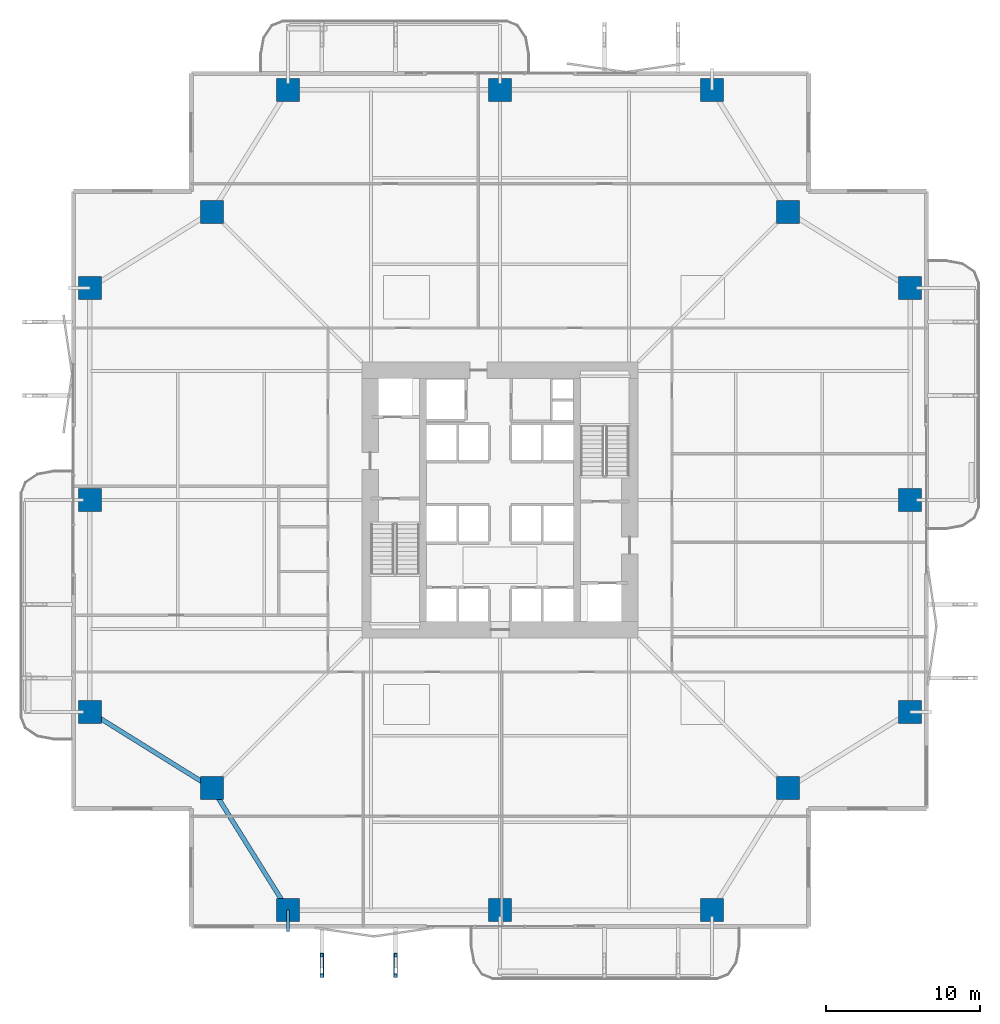
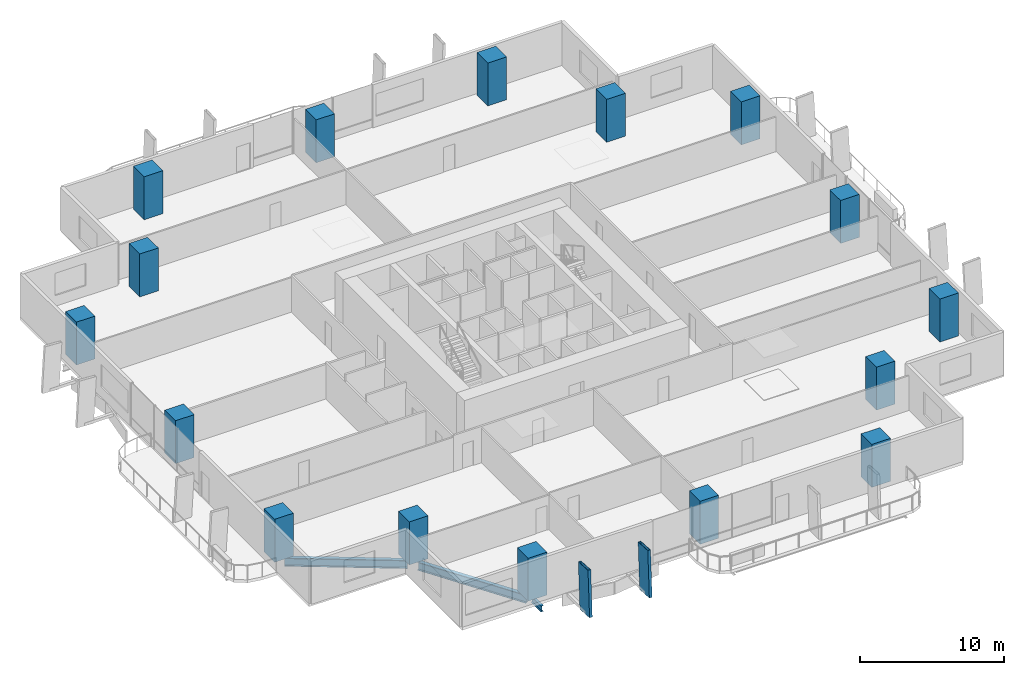
# One storey, part 1 of 24: 16 columns, 3 beams, 2 members.
"""IFC4 building model written with IfcOpenShell, lengths in metres."""

import ifcopenshell
import ifcopenshell.guid

model = None  # the IFC model being written
_history = None  # IfcOwnerHistory: only IFC2X3 demands one
_inside = {}  # id of a spatial element -> (the spatial element, [elements in it])
_under = {}  # id of a project, library or spatial element -> (it, [spatial elements below it])
_declared = {}  # id of a project -> (the project, [libraries it declares])
_typed = {}  # id of a type object -> (the type object, [elements of that type])
_made_of = {}  # id of a material, layer set ... -> (it, [elements and type objects made of it])


def new_model(schema):
    """Start an empty IFC model of exactly this schema.

    Asked for "IFC4X3", IfcOpenShell would pick the latest addendum, in which some entities
    have other attributes; the version numbers below select the first issue.
    IFC2X3 requires an IfcOwnerHistory on every rooted entity: one is made here for all.
    """
    global model, _history
    if schema == "IFC4X3":
        model = ifcopenshell.file(schema_version=(4, 3, 0, 0))
    else:
        model = ifcopenshell.file(schema=schema)
    _inside.clear()
    _under.clear()
    _declared.clear()
    _typed.clear()
    _made_of.clear()
    _history = None
    if model.schema == "IFC2X3":
        org = make("IfcOrganization", Name="unknown")
        user = make(
            "IfcPersonAndOrganization",
            ThePerson=make("IfcPerson", FamilyName="unknown"),
            TheOrganization=org,
        )
        app = make(
            "IfcApplication",
            ApplicationDeveloper=org,
            Version="unknown",
            ApplicationFullName="unknown",
            ApplicationIdentifier="unknown",
        )
        _history = make(
            "IfcOwnerHistory",
            OwningUser=user,
            OwningApplication=app,
            ChangeAction="ADDED",
            CreationDate=0,
        )
    return model


def make(cls, **values):
    """One entity of the class cls with the attributes given. An attribute that is None is left unset."""
    return model.create_entity(
        cls, **{name: value for name, value in values.items() if value is not None}
    )


def rooted(cls, **values):
    """An entity with a GlobalId (a new one), such as an element, a storey or a relation."""
    return make(cls, GlobalId=ifcopenshell.guid.new(), OwnerHistory=_history, **values)


def si_unit(unit_type, name, prefix=None):
    """IfcSIUnit, for example si_unit("LENGTHUNIT", "METRE", prefix="MILLI")."""
    return make("IfcSIUnit", UnitType=unit_type, Prefix=prefix, Name=name)


def assignment(units):
    """IfcUnitAssignment: the units of a project."""
    return None if units is None else make("IfcUnitAssignment", Units=units)


def point(xyz):
    """IfcCartesianPoint."""
    return None if xyz is None else make("IfcCartesianPoint", Coordinates=xyz)


def direction(xyz):
    """IfcDirection."""
    return None if xyz is None else make("IfcDirection", DirectionRatios=xyz)


def frame(location, z_axis=None, x_axis=None):
    """IfcAxis2Placement3D, a coordinate frame: its origin and axes. An axis left out is left unset."""
    return make(
        "IfcAxis2Placement3D",
        Location=point(location),
        Axis=direction(z_axis),
        RefDirection=direction(x_axis),
    )


def frame_2d(location, x_axis=None):
    """IfcAxis2Placement2D, a coordinate frame in the plane: its origin and x axis."""
    return make(
        "IfcAxis2Placement2D", Location=point(location), RefDirection=direction(x_axis)
    )


def origin():
    """The frame at (0, 0, 0) with its axes left unset."""
    return frame((0.0, 0.0, 0.0))


def origin_2d():
    """The frame at (0, 0) in the plane with its x axis left unset."""
    return frame_2d((0.0, 0.0))


def place(relative_to, where):
    """IfcLocalPlacement: puts the frame where relative to a parent placement (None: the world)."""
    return make(
        "IfcLocalPlacement", PlacementRelTo=relative_to, RelativePlacement=where
    )


def context(
    kind, dimensions, precision=None, world=None, true_north=None, identifier=None
):
    """IfcGeometricRepresentationContext, for example the 3D "Model" context."""
    return make(
        "IfcGeometricRepresentationContext",
        ContextIdentifier=identifier,
        ContextType=kind,
        CoordinateSpaceDimension=dimensions,
        Precision=precision,
        WorldCoordinateSystem=world,
        TrueNorth=true_north,
    )


def subcontext(parent, identifier, kind, view, scale=None):
    """IfcGeometricRepresentationSubContext, for example "Body" below "Model"."""
    return make(
        "IfcGeometricRepresentationSubContext",
        ContextIdentifier=identifier,
        ContextType=kind,
        ParentContext=parent,
        TargetScale=scale,
        TargetView=view,
    )


def project(units=None, contexts=None):
    """IfcProject with its units and contexts."""
    return rooted(
        "IfcProject",
        Name="project",
        RepresentationContexts=contexts,
        UnitsInContext=assignment(units),
    )


def spatial(cls, under=None, at=None, **own):
    """A site, building, storey or space (cls), placed at a placement, below another one or the project."""
    s = rooted(cls, ObjectPlacement=at, **own)
    if under is not None:
        _under.setdefault(under.id(), (under, []))[1].append(s)
    return s


def profile(cls, at=None, kind="AREA", **sizes):
    """A parametric profile (cls). Its sizes go by their IFC names, for example OverallWidth=200.0."""
    return make(cls, ProfileType=kind, Position=at, **sizes)


def rectangle(**sizes):
    """IfcRectangleProfileDef."""
    return profile("IfcRectangleProfileDef", **sizes)


def hollow_rectangle(**sizes):
    """IfcRectangleHollowProfileDef."""
    return profile("IfcRectangleHollowProfileDef", **sizes)


def i_section(**sizes):
    """IfcIShapeProfileDef."""
    return profile("IfcIShapeProfileDef", **sizes)


def extrude(swept, where, along, depth):
    """IfcExtrudedAreaSolid: the profile swept, set in the frame where, extruded along a direction by depth."""
    return make(
        "IfcExtrudedAreaSolid",
        SweptArea=swept,
        Position=where,
        ExtrudedDirection=direction(along),
        Depth=depth,
    )


def shape(context_of_items, identifier, shape_type, items):
    """IfcShapeRepresentation: the items that make up one representation, for example the "Body"."""
    return make(
        "IfcShapeRepresentation",
        ContextOfItems=context_of_items,
        RepresentationIdentifier=identifier,
        RepresentationType=shape_type,
        Items=items,
    )


def material(Name=None, Category=None):
    """IfcMaterial."""
    return make("IfcMaterial", Name=Name, Category=Category)


def material_profile(
    of_material, cross_section, Name=None, Category=None, Priority=None
):
    """IfcMaterialProfile: a cross section and its material."""
    return make(
        "IfcMaterialProfile",
        Name=Name,
        Material=of_material,
        Profile=cross_section,
        Priority=Priority,
        Category=Category,
    )


def profile_set(profiles, Name=None, composite=None):
    """IfcMaterialProfileSet."""
    return make(
        "IfcMaterialProfileSet",
        Name=Name,
        MaterialProfiles=profiles,
        CompositeProfile=composite,
    )


def made_of(thing, what):
    """Note that an element or type object is made of a material, layer set ...; save() writes the relation."""
    if what is not None:
        _made_of.setdefault(what.id(), (what, []))[1].append(thing)
    return thing


def type_object(cls, material=None, **own):
    """A type object (cls), such as IfcWallType, which elements share."""
    return made_of(rooted(cls, **own), material)


def element(
    cls,
    number,
    at=None,
    inside=None,
    cuts=None,
    type_object=None,
    material=None,
    context=None,
    identifier="Body",
    shape_type=None,
    held_by="IfcProductDefinitionShape",
    body=None,
    shapes=None,
    **own,
):
    """One element of the class cls, such as IfcWall. Its Tag is "e" and its number.

    at: its placement. inside: the storey or other place that contains it. cuts: it is an
    opening in that element (IfcRelVoidsElement). A single representation is given by context,
    identifier, shape_type and body (its items); several are given by shapes. held_by: the class
    of the entity that holds the representations. save() writes the other relations.
    """
    e = rooted(cls, Tag="e%d" % number, ObjectPlacement=at, **own)
    if body is not None:
        shapes = [shape(context, identifier, shape_type, body)]
    if shapes is not None:
        e.Representation = make(held_by, Representations=shapes)
    if inside is not None:
        _inside.setdefault(inside.id(), (inside, []))[1].append(e)
    if cuts is not None:
        rooted(
            "IfcRelVoidsElement", RelatingBuildingElement=cuts, RelatedOpeningElement=e
        )
    if type_object is not None:
        _typed.setdefault(type_object.id(), (type_object, []))[1].append(e)
    return made_of(e, material)


def aggregate(whole, parts):
    """IfcRelAggregates: a whole, such as a stair, and the parts it consists of."""
    return rooted("IfcRelAggregates", RelatingObject=whole, RelatedObjects=parts)


def save(model, path):
    """Write the relations noted so far, then the file.

    IfcRelAggregates (storeys below a building ...), IfcRelContainedInSpatialStructure (elements
    in a storey), IfcRelDefinesByType, IfcRelAssociatesMaterial and IfcRelDeclares: one each for
    every whole, place, type object, material and project.
    """
    for whole, parts in _under.values():
        aggregate(whole, parts)
    for where, things in _inside.values():
        rooted(
            "IfcRelContainedInSpatialStructure",
            RelatedElements=things,
            RelatingStructure=where,
        )
    for kind, things in _typed.values():
        rooted("IfcRelDefinesByType", RelatedObjects=things, RelatingType=kind)
    for what, things in _made_of.values():
        rooted("IfcRelAssociatesMaterial", RelatedObjects=things, RelatingMaterial=what)
    for by, libraries in _declared.values():
        rooted("IfcRelDeclares", RelatingContext=by, RelatedDefinitions=libraries)
    model.write(path)


model = new_model("IFC4")

# Units and contexts
model_context = context("Model", 3, precision=1e-05, world=origin(), true_north=direction((0.0, 1.0)))
body_context = subcontext(model_context, "Body", "Model", "MODEL_VIEW")
ifc_project = project(units=[si_unit("LENGTHUNIT", "METRE"), si_unit("AREAUNIT", "SQUARE_METRE"), si_unit("VOLUMEUNIT", "CUBIC_METRE"), si_unit("PLANEANGLEUNIT", "RADIAN"), si_unit("MASSUNIT", "GRAM", prefix="KILO")], contexts=[model_context])

# Site, building, storey
site_placement = place(None, origin())
site = spatial("IfcSite", under=ifc_project, at=site_placement, CompositionType="ELEMENT")
building_placement = place(site_placement, origin())
building = spatial("IfcBuilding", under=site, at=building_placement, Name="Belovzor Exchange Tower", CompositionType="ELEMENT")
storey_placement = place(building_placement, frame((0.0, 0.0, 49.5)))
storey = spatial("IfcBuildingStorey", under=building, at=storey_placement, Name="L11", CompositionType="ELEMENT", Elevation=49.5)

# Columns
ifc_material_1 = material(Name="Concrete C60/75", Category="concrete")
ifc_material_profile_1 = material_profile(ifc_material_1, rectangle(XDim=1.5, YDim=1.5, at=origin_2d()))
ifc_profile_set_1 = profile_set([ifc_material_profile_1], Name="Concrete C60/75")
column_type = type_object("IfcColumnType", Name="Reinforced Concrete Tower Column 1500x1500", PredefinedType="COLUMN", material=ifc_profile_set_1)
for number, where, z_axis, x_axis, name in (
    (1, (15.0, 2.10009765625, 0.0029296875), (0.0, 0.0, 1.0), (1.0, 0.0, 0.0), "COL-T150 Reinforced Concrete Tower Column 1500x1500"),
    (2, (28.800048828125, 2.10009765625, 0.0029296875), (0.0, 0.0, 1.0), (1.0, 0.0, 0.0), "COL-T150 Reinforced Concrete Tower Column 1500x1500"),
    (3, (42.60009765625, 2.10009765625, 0.0029296875), (0.0, 0.0, 1.0), (1.0, 0.0, 0.0), "COL-T150 Reinforced Concrete Tower Column 1500x1500"),
    (4, (55.5, 15.0, 0.0029296875), (0.0, 0.0, 1.0), (1.0, 0.0, 0.0), "COL-T150 Reinforced Concrete Tower Column 1500x1500"),
    (5, (55.5, 28.800048828125, 0.0029296875), (0.0, 0.0, 1.0), (1.0, 0.0, 0.0), "COL-T150 Reinforced Concrete Tower Column 1500x1500"),
    (6, (55.5, 42.60009765625, 0.0029296875), (0.0, 0.0, 1.0), (1.0, 0.0, 0.0), "COL-T150 Reinforced Concrete Tower Column 1500x1500"),
    (7, (42.60009765625, 55.5, 0.0029296875), (0.0, 0.0, 1.0), (1.0, 0.0, 0.0), "COL-T150 Reinforced Concrete Tower Column 1500x1500"),
    (8, (28.800048828125, 55.5, 0.0029296875), (0.0, 0.0, 1.0), (1.0, 0.0, 0.0), "COL-T150 Reinforced Concrete Tower Column 1500x1500"),
    (9, (15.0, 55.5, 0.0029296875), (0.0, 0.0, 1.0), (1.0, 0.0, 0.0), "COL-T150 Reinforced Concrete Tower Column 1500x1500"),
    (10, (2.10009765625, 42.60009765625, 0.0029296875), (0.0, 0.0, 1.0), (1.0, 0.0, 0.0), "COL-T150 Reinforced Concrete Tower Column 1500x1500"),
    (11, (2.10009765625, 28.800048828125, 0.0029296875), (0.0, 0.0, 1.0), (1.0, 0.0, 0.0), "COL-T150 Reinforced Concrete Tower Column 1500x1500"),
    (12, (2.10009765625, 15.0, 0.0029296875), (0.0, 0.0, 1.0), (1.0, 0.0, 0.0), "COL-T150 Reinforced Concrete Tower Column 1500x1500"),
    (13, (10.050048828125, 10.050048828125, 0.0029296875), (0.0, 0.0, 1.0), (1.0, 0.0, 0.0), "COL-T150 Reinforced Concrete Tower Column 1500x1500"),
    (14, (47.550048828125, 10.050048828125, 0.0029296875), (0.0, 0.0, 1.0), (1.0, 0.0, 0.0), "COL-T150 Reinforced Concrete Tower Column 1500x1500"),
    (15, (47.550048828125, 47.550048828125, 0.0029296875), (0.0, 0.0, 1.0), (1.0, 0.0, 0.0), "COL-T150 Reinforced Concrete Tower Column 1500x1500"),
    (16, (10.050048828125, 47.550048828125, 0.0029296875), (0.0, 0.0, 1.0), (1.0, 0.0, 0.0), "COL-T150 Reinforced Concrete Tower Column 1500x1500"),
):
    element("IfcColumn", number, at=place(storey_placement, frame(where, z_axis=z_axis, x_axis=x_axis)), inside=storey, type_object=column_type, Name=name, PredefinedType="COLUMN", context=body_context, shape_type="SweptSolid", body=[
        extrude(rectangle(XDim=1.5, YDim=1.5, at=origin_2d()), origin(), (0.0, 0.0, 1.0), 3.64404296875),
    ])

# Members
ifc_material_2 = material(Name="Extruded Architectural Terracotta on Steel S355 Carrier", Category="masonry")
ifc_material_profile_2 = material_profile(ifc_material_2, hollow_rectangle(XDim=0.219970703125, YDim=1.35009765625, WallThickness=0.013916015625, at=origin_2d()))
ifc_profile_set_2 = profile_set([ifc_material_profile_2], Name="Extruded Architectural Terracotta on Steel S355 Carrier")
member_type = type_object("IfcMemberType", Name="Base Arc Sweeping Terracotta Pylon Fin 1450", PredefinedType="USERDEFINED", material=ifc_profile_set_2)
for number, where, z_axis, x_axis, name in (
    (17, (17.199951171875, -1.597900390625, -0.25), (0.0, 0.056065425443, 0.998427097023), (-1.0, 0.0, 0.0), "FIN-TC145 Terracotta Facade Fin L11 S1"),
    (18, (22.0, -1.597900390625, -0.25), (0.0, 0.056065425443, 0.998427097023), (-1.0, 0.0, 0.0), "FIN-TC145 Terracotta Facade Fin L11 S2"),
):
    element("IfcMember", number, at=place(storey_placement, frame(where, z_axis=z_axis, x_axis=x_axis)), inside=storey, type_object=member_type, Name=name, ObjectType="FIN", PredefinedType="USERDEFINED", context=body_context, shape_type="SweptSolid", body=[
        extrude(hollow_rectangle(XDim=0.219970703125, YDim=1.35009765625, WallThickness=0.013916015625, at=origin_2d()), origin(), (0.0, 0.0, 1.0), 3.906005859375),
    ])

# Beams
ifc_material_3 = material(Name="Steel S355", Category="steel")
ifc_material_profile_3 = material_profile(ifc_material_3, i_section(OverallWidth=0.199951171875, OverallDepth=0.5, WebThickness=0.01025390625, FlangeThickness=0.01611328125, at=origin_2d()))
ifc_profile_set_3 = profile_set([ifc_material_profile_3], Name="Steel S355")
beam_type_1 = type_object("IfcBeamType", Name="Planted Balcony Cantilever Beam IPE 500", PredefinedType="BEAM", material=ifc_profile_set_3)
beam_placement = place(storey_placement, frame((15.0, 2.10009765625, -0.5), z_axis=(0.0, -1.0, 0.0), x_axis=(1.0, 0.0, 0.0)))
element("IfcBeam", 19, at=beam_placement, inside=storey, type_object=beam_type_1, Name="BC-500 Planted Balcony Cantilever Beam IPE 500", PredefinedType="BEAM", context=body_context, shape_type="SweptSolid", body=[
    extrude(i_section(OverallWidth=0.199951171875, OverallDepth=0.5, WebThickness=0.01025390625, FlangeThickness=0.01611328125, at=origin_2d()), origin(), (0.0, 0.0, 1.0), 1.400146484375),
])
ifc_material_4 = material(Name="Steel S355", Category="steel")
ifc_material_profile_4 = material_profile(ifc_material_4, i_section(OverallWidth=0.300048828125, OverallDepth=0.699951171875, WebThickness=0.01708984375, FlangeThickness=0.031982421875, at=origin_2d()))
ifc_profile_set_4 = profile_set([ifc_material_profile_4], Name="Steel S355")
beam_type_2 = type_object("IfcBeamType", Name="Zone 1 Primary Perimeter Girder HEB 700", PredefinedType="BEAM", material=ifc_profile_set_4)
for number, where, z_axis, x_axis, name in (
    (20, (10.26806640625, 9.699951171875, -0.60009765625), (0.528538629686, -0.848909251292, 0.0), (0.848909251292, 0.528538629686, 0.0), "FG-Z1 Zone 1 Primary Perimeter Girder HEB 700"),
    (21, (2.449951171875, 14.781982421875, -0.60009765625), (0.848909251292, -0.528538629686, 0.0), (0.528538629686, 0.848909251292, 0.0), "FG-Z1 Zone 1 Primary Perimeter Girder HEB 700"),
):
    element("IfcBeam", number, at=place(storey_placement, frame(where, z_axis=z_axis, x_axis=x_axis)), inside=storey, type_object=beam_type_2, Name=name, PredefinedType="BEAM", context=body_context, shape_type="SweptSolid", body=[
        extrude(i_section(OverallWidth=0.300048828125, OverallDepth=0.699951171875, WebThickness=0.01708984375, FlangeThickness=0.031982421875, at=origin_2d()), origin(), (0.0, 0.0, 1.0), 8.540283203125),
    ])

save(model, "model.ifc")
